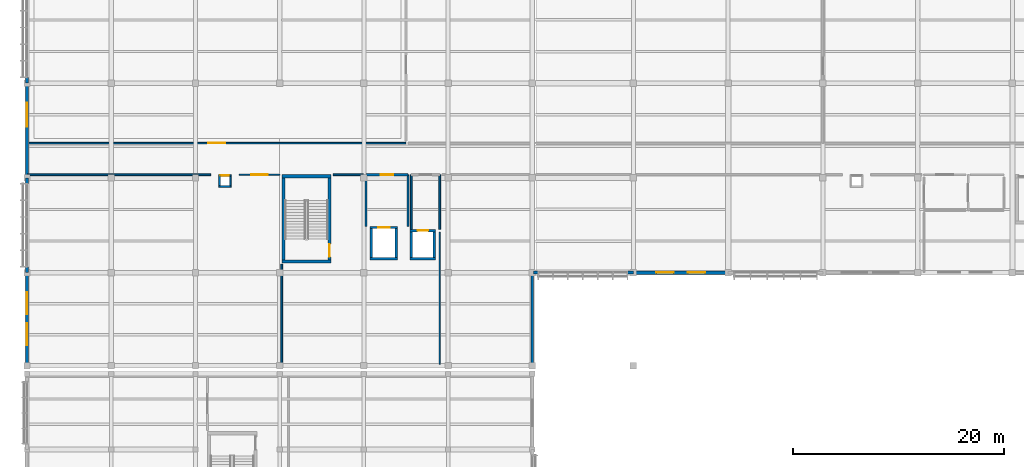
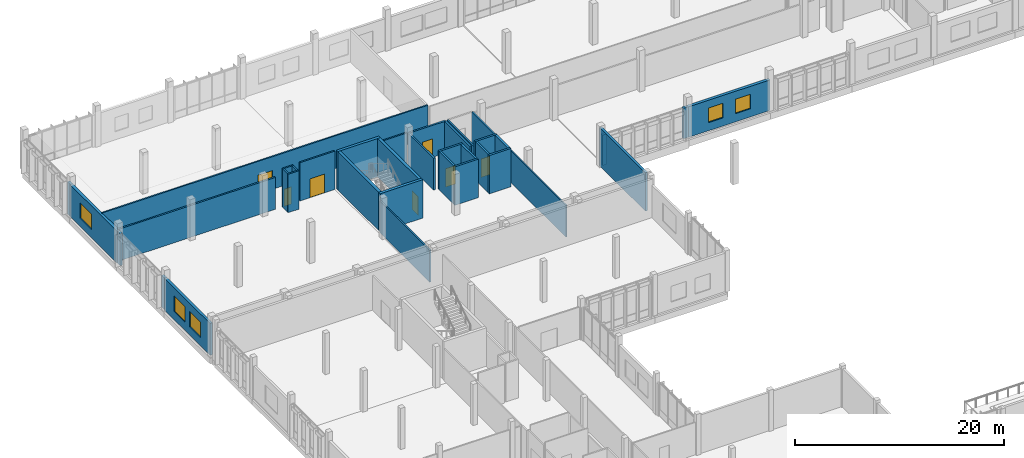
# One storey, part 153 of 177: 36 walls, 7 doors, 5 windows, 12 openings.
"""IFC4 building model written with IfcOpenShell, lengths in metres."""

from ifc_helpers import new_model, si_unit, direction, frame, frame_2d, origin, place, context, subcontext, project, spatial, rectangle, extrude, material, layer, layer_set, type_object, element, fill, save


model = new_model("IFC4")

# Units and contexts
model_context = context("Model", 3, precision=1e-05, world=origin(), true_north=direction((0.0, 1.0)))
body_context = subcontext(model_context, "Body", "Model", "MODEL_VIEW")
ifc_project = project(units=[si_unit("LENGTHUNIT", "METRE"), si_unit("AREAUNIT", "SQUARE_METRE"), si_unit("VOLUMEUNIT", "CUBIC_METRE"), si_unit("PLANEANGLEUNIT", "RADIAN"), si_unit("MASSUNIT", "GRAM", prefix="KILO")], contexts=[model_context])

# Site, building, storey
site_placement = place(None, origin())
site = spatial("IfcSite", under=ifc_project, at=site_placement, CompositionType="ELEMENT")
building_placement = place(site_placement, origin())
building = spatial("IfcBuilding", under=site, at=building_placement, Name="Chiffa Square Polytechnic", CompositionType="ELEMENT")
storey_placement = place(building_placement, frame((0.0, 0.0, 4.800048828125)))
storey = spatial("IfcBuildingStorey", under=building, at=storey_placement, Name="L01", CompositionType="ELEMENT", Elevation=4.800048828125)

# Walls
ifc_material_1 = material(Name="Concrete C40/50", Category="concrete")
ifc_layer_1 = layer(ifc_material_1, 0.300048828125, Name="Concrete C40/50")
ifc_layer_set_1 = layer_set([ifc_layer_1], Name="Concrete C40/50")
wall_type_1 = type_object("IfcWallType", Name="WL-CORE-300", PredefinedType="SHEAR", material=ifc_layer_set_1)
for number, where, z_axis, x_axis, name in (
    (1, (24.199951171875, 104.85009765625, 0.0), (0.0, 0.0, 1.0), (1.0, 0.0, 0.0), "Core or enclosure wall WC-CORE-V5A-L01-SOUTH"),
    (2, (24.199951171875, 112.949951171875, 0.0), (0.0, 0.0, 1.0), (1.0, 0.0, 0.0), "Core or enclosure wall WC-CORE-V5A-L01-NORTH"),
):
    element("IfcWall", number, at=place(storey_placement, frame(where, z_axis=z_axis, x_axis=x_axis)), inside=storey, type_object=wall_type_1, Name=name, PredefinedType="SHEAR", context=body_context, shape_type="SweptSolid", body=[
        extrude(rectangle(XDim=4.699951171875, YDim=0.300048828125, at=frame_2d((2.35009765625, 0.0))), origin(), (0.0, 0.0, 1.0), 4.47998046875),
    ])
wall_1_placement = place(storey_placement, frame((24.35009765625, 105.0, 0.0), z_axis=(0.0, 0.0, 1.0), x_axis=(0.0, 1.0, 0.0)))
element("IfcWall", 3, at=wall_1_placement, inside=storey, type_object=wall_type_1, Name="Core or enclosure wall WC-CORE-V5A-L01-WEST", PredefinedType="SHEAR", context=body_context, shape_type="SweptSolid", body=[
    extrude(rectangle(XDim=7.800048828125, YDim=0.300048828125, at=frame_2d((3.89990234375, 0.0))), origin(), (0.0, 0.0, 1.0), 4.47998046875),
])

# Wall, opening, door
wall_2_placement = place(storey_placement, frame((28.75, 105.0, 0.0), z_axis=(0.0, 0.0, 1.0), x_axis=(0.0, 1.0, 0.0)))
wall_2 = element("IfcWall", 4, at=wall_2_placement, inside=storey, type_object=wall_type_1, Name="Core or enclosure wall WC-CORE-V5A-L01-EAST", PredefinedType="SHEAR", context=body_context, shape_type="SweptSolid", body=[
    extrude(rectangle(XDim=7.800048828125, YDim=0.300048828125, at=frame_2d((3.89990234375, 0.0))), origin(), (0.0, 0.0, 1.0), 4.47998046875),
])
opening_1_placement = place(wall_2_placement, frame((0.300048828125, 0.0, 0.0)))
opening_1 = element("IfcOpeningElement", 5, at=opening_1_placement, cuts=wall_2, Name="Opening DS-L01-033", PredefinedType="OPENING", context=body_context, shape_type="SweptSolid", body=[
    extrude(rectangle(XDim=1.199951171875, YDim=2.14990234375, at=frame_2d((0.60009765625, 1.074951171875))), frame((0.0, 0.16015625, 0.0), z_axis=(0.0, -1.0, 0.0), x_axis=(1.0, 0.0, 0.0)), (0.0, 0.0, 1.0), 0.320068359375),
])
ifc_material_2 = material(Name="Fire-rated painted steel leaf", Category="steel")
door_type_1 = type_object("IfcDoorType", Name="DR-STAIR-1200", OperationType="NOTDEFINED", PredefinedType="DOOR", material=ifc_material_2)
door_1_placement = place(opening_1_placement, origin())
door_1 = element("IfcDoor", 6, at=door_1_placement, inside=storey, type_object=door_type_1, Name="Enclosure door DS-L01-033", OperationType="SINGLE_SWING_LEFT", OverallHeight=2.14990234375, OverallWidth=1.199951171875, PredefinedType="DOOR", context=body_context, shape_type="SweptSolid", body=[
    extrude(rectangle(XDim=1.199951171875, YDim=2.14990234375, at=frame_2d((0.60009765625, 1.074951171875))), frame((0.0, 0.02490234375, 0.0), z_axis=(0.0, -1.0, 0.0), x_axis=(1.0, 0.0, 0.0)), (0.0, 0.0, 1.0), 0.050048828125),
])
fill(opening_1, door_1)

# Walls
ifc_material_3 = material(Name="Precast concrete C40/50", Category="concrete")
ifc_layer_2 = layer(ifc_material_3, 0.260009765625, Name="Precast concrete C40/50")
ifc_layer_set_2 = layer_set([ifc_layer_2], Name="Precast concrete C40/50")
wall_type_2 = type_object("IfcWallType", Name="WL-EXT-PC260", PredefinedType="SOLIDWALL", material=ifc_layer_set_2)
for number, where, z_axis, x_axis, name in (
    (7, (0.0, 112.800048828125, 0.0), (0.0, 0.0, 1.0), (0.0, -1.0, 0.0), "Facade column pier V5-L01-0291L"),
    (8, (0.0, 104.340087890625, 0.0), (0.0, 0.0, 1.0), (0.0, -1.0, 0.0), "Facade column pier V5-L01-0291R"),
):
    element("IfcWall", number, at=place(storey_placement, frame(where, z_axis=z_axis, x_axis=x_axis)), inside=storey, type_object=wall_type_2, Name=name, PredefinedType="SOLIDWALL", context=body_context, shape_type="SweptSolid", body=[
        extrude(rectangle(XDim=0.5400390625, YDim=0.260009765625, at=frame_2d((0.27001953125, 0.0))), origin(), (0.0, 0.0, 1.0), 3.71484375),
    ])
ifc_layer_3 = layer(ifc_material_3, 0.280029296875, Name="Precast concrete C40/50")
ifc_layer_set_3 = layer_set([ifc_layer_3], Name="Precast concrete C40/50")
wall_type_3 = type_object("IfcWallType", Name="WL-EXT-PC280", PredefinedType="SOLIDWALL", material=ifc_layer_set_3)
wall_3_placement = place(storey_placement, frame((48.126953125, 103.800048828125, 0.0), z_axis=(0.0, 0.0, 1.0), x_axis=(1.0, 0.0, 0.0)))
element("IfcWall", 9, at=wall_3_placement, inside=storey, type_object=wall_type_3, Name="Facade column pier V5-L01-0259L", PredefinedType="SOLIDWALL", context=body_context, shape_type="SweptSolid", body=[
    extrude(rectangle(XDim=0.4130859375, YDim=0.280029296875, at=frame_2d((0.20654296875, 0.0))), origin(), (0.0, 0.0, 1.0), 3.56494140625),
])
wall_4_placement = place(storey_placement, frame((57.06005859375, 103.800048828125, 0.0), z_axis=(0.0, 0.0, 1.0), x_axis=(1.0, 0.0, 0.0)))
element("IfcWall", 10, at=wall_4_placement, inside=storey, type_object=wall_type_3, Name="Facade column pier V5-L01-0259R", PredefinedType="SOLIDWALL", context=body_context, shape_type="SweptSolid", body=[
    extrude(rectangle(XDim=0.5400390625, YDim=0.280029296875, at=frame_2d((0.27001953125, 0.0))), origin(), (0.0, 0.0, 1.0), 3.56494140625),
])
wall_5_placement = place(storey_placement, frame((0.0, 122.340087890625, 0.0), z_axis=(0.0, 0.0, 1.0), x_axis=(0.0, -1.0, 0.0)))
element("IfcWall", 11, at=wall_5_placement, inside=storey, type_object=wall_type_3, Name="Facade column pier V5-L01-0289R", PredefinedType="SOLIDWALL", context=body_context, shape_type="SweptSolid", body=[
    extrude(rectangle(XDim=0.5400390625, YDim=0.280029296875, at=frame_2d((0.27001953125, 0.0))), origin(), (0.0, 0.0, 1.0), 3.71484375),
])

# Wall, openings, windows
wall_6_placement = place(storey_placement, frame((0.0, 103.800048828125, 0.0), z_axis=(0.0, 0.0, 1.0), x_axis=(0.0, -1.0, 0.0)))
wall_6 = element("IfcWall", 12, at=wall_6_placement, inside=storey, type_object=wall_type_3, Name="Exterior wall WE-V5-L01-0292", PredefinedType="SOLIDWALL", context=body_context, shape_type="SweptSolid", body=[
    extrude(rectangle(XDim=8.75, YDim=0.280029296875, at=frame_2d((4.375, 0.0))), origin(), (0.0, 0.0, 1.0), 3.71484375),
])
opening_2_placement = place(wall_6_placement, frame((1.866943359375, 0.0, 0.949951171875)))
opening_2 = element("IfcOpeningElement", 13, at=opening_2_placement, cuts=wall_6, Name="Opening W-03", PredefinedType="OPENING", context=body_context, shape_type="SweptSolid", body=[
    extrude(rectangle(XDim=2.10009765625, YDim=1.800048828125, at=frame_2d((1.050048828125, 0.89990234375))), frame((0.0, 0.14990234375, 0.0), z_axis=(0.0, -1.0, 0.0), x_axis=(1.0, 0.0, 0.0)), (0.0, 0.0, 1.0), 0.300048828125),
])
opening_3_placement = place(wall_6_placement, frame((4.782958984375, 0.0, 0.949951171875)))
opening_3 = element("IfcOpeningElement", 14, at=opening_3_placement, cuts=wall_6, Name="Opening W-03", PredefinedType="OPENING", context=body_context, shape_type="SweptSolid", body=[
    extrude(rectangle(XDim=2.10009765625, YDim=1.800048828125, at=frame_2d((1.050048828125, 0.89990234375))), frame((0.0, 0.14990234375, 0.0), z_axis=(0.0, -1.0, 0.0), x_axis=(1.0, 0.0, 0.0)), (0.0, 0.0, 1.0), 0.300048828125),
])
ifc_material_4 = material(Name="Double glazing in thermally broken aluminium frame", Category="aluminium")
window_type_1 = type_object("IfcWindowType", Name="WIN-LAB-2100X1800", PartitioningType="DOUBLE_PANEL_VERTICAL", PredefinedType="WINDOW", material=ifc_material_4)
window_1_placement = place(opening_2_placement, origin())
window_1 = element("IfcWindow", 15, at=window_1_placement, inside=storey, type_object=window_type_1, Name="Facade window WN-L01-0184", OverallHeight=1.800048828125, OverallWidth=2.10009765625, PartitioningType="DOUBLE_PANEL_VERTICAL", PredefinedType="WINDOW", context=body_context, shape_type="SweptSolid", body=[
    extrude(rectangle(XDim=2.10009765625, YDim=1.800048828125, at=frame_2d((1.050048828125, 0.89990234375))), frame((0.0, 0.030029296875, 0.0), z_axis=(0.0, -1.0, 0.0), x_axis=(1.0, 0.0, 0.0)), (0.0, 0.0, 1.0), 0.06005859375),
])
fill(opening_2, window_1)
window_2_placement = place(opening_3_placement, origin())
window_2 = element("IfcWindow", 16, at=window_2_placement, inside=storey, type_object=window_type_1, Name="Facade window WN-L01-0185", OverallHeight=1.800048828125, OverallWidth=2.10009765625, PartitioningType="DOUBLE_PANEL_VERTICAL", PredefinedType="WINDOW", context=body_context, shape_type="SweptSolid", body=[
    extrude(rectangle(XDim=2.10009765625, YDim=1.800048828125, at=frame_2d((1.050048828125, 0.89990234375))), frame((0.0, 0.030029296875, 0.0), z_axis=(0.0, -1.0, 0.0), x_axis=(1.0, 0.0, 0.0)), (0.0, 0.0, 1.0), 0.06005859375),
])
fill(opening_3, window_2)

ifc_layer_4 = layer(ifc_material_3, 0.320068359375, Name="Precast concrete C40/50")
ifc_layer_set_4 = layer_set([ifc_layer_4], Name="Precast concrete C40/50")
wall_type_4 = type_object("IfcWallType", Name="WL-EXT-PC320", PredefinedType="SOLIDWALL", material=ifc_layer_set_4)
wall_7_placement = place(storey_placement, frame((57.60009765625, 103.800048828125, 0.0), z_axis=(0.0, 0.0, 1.0), x_axis=(1.0, 0.0, 0.0)))
wall_7 = element("IfcWall", 17, at=wall_7_placement, inside=storey, type_object=wall_type_4, Name="Exterior wall WE-V5-L01-0260", PredefinedType="SOLIDWALL", context=body_context, shape_type="SweptSolid", body=[
    extrude(rectangle(XDim=9.0, YDim=0.320068359375, at=frame_2d((4.5, 0.0))), origin(), (0.0, 0.0, 1.0), 3.56494140625),
])
opening_4_placement = place(wall_7_placement, frame((2.175048828125, 0.0, 0.949951171875)))
opening_4 = element("IfcOpeningElement", 18, at=opening_4_placement, cuts=wall_7, Name="Opening W-06", PredefinedType="OPENING", context=body_context, shape_type="SweptSolid", body=[
    extrude(rectangle(XDim=1.64990234375, YDim=1.699951171875, at=frame_2d((0.824951171875, 0.85009765625))), frame((0.0, 0.169921875, 0.0), z_axis=(0.0, -1.0, 0.0), x_axis=(1.0, 0.0, 0.0)), (0.0, 0.0, 1.0), 0.340087890625),
])
opening_5_placement = place(wall_7_placement, frame((5.175048828125, 0.0, 0.949951171875)))
opening_5 = element("IfcOpeningElement", 19, at=opening_5_placement, cuts=wall_7, Name="Opening W-06", PredefinedType="OPENING", context=body_context, shape_type="SweptSolid", body=[
    extrude(rectangle(XDim=1.64990234375, YDim=1.699951171875, at=frame_2d((0.824951171875, 0.85009765625))), frame((0.0, 0.169921875, 0.0), z_axis=(0.0, -1.0, 0.0), x_axis=(1.0, 0.0, 0.0)), (0.0, 0.0, 1.0), 0.340087890625),
])
window_type_2 = type_object("IfcWindowType", Name="WIN-LAB-1650X1700", PartitioningType="DOUBLE_PANEL_VERTICAL", PredefinedType="WINDOW", material=ifc_material_4)
window_3_placement = place(opening_4_placement, origin())
window_3 = element("IfcWindow", 20, at=window_3_placement, inside=storey, type_object=window_type_2, Name="Facade window WN-L01-0152", OverallHeight=1.699951171875, OverallWidth=1.64990234375, PartitioningType="DOUBLE_PANEL_VERTICAL", PredefinedType="WINDOW", context=body_context, shape_type="SweptSolid", body=[
    extrude(rectangle(XDim=1.64990234375, YDim=1.699951171875, at=frame_2d((0.824951171875, 0.85009765625))), frame((0.0, 0.030029296875, 0.0), z_axis=(0.0, -1.0, 0.0), x_axis=(1.0, 0.0, 0.0)), (0.0, 0.0, 1.0), 0.06005859375),
])
fill(opening_4, window_3)
window_4_placement = place(opening_5_placement, origin())
window_4 = element("IfcWindow", 21, at=window_4_placement, inside=storey, type_object=window_type_2, Name="Facade window WN-L01-0153", OverallHeight=1.699951171875, OverallWidth=1.64990234375, PartitioningType="DOUBLE_PANEL_VERTICAL", PredefinedType="WINDOW", context=body_context, shape_type="SweptSolid", body=[
    extrude(rectangle(XDim=1.64990234375, YDim=1.699951171875, at=frame_2d((0.824951171875, 0.85009765625))), frame((0.0, 0.030029296875, 0.0), z_axis=(0.0, -1.0, 0.0), x_axis=(1.0, 0.0, 0.0)), (0.0, 0.0, 1.0), 0.06005859375),
])
fill(opening_5, window_4)

# Wall, opening, window
wall_8_placement = place(storey_placement, frame((0.0, 121.800048828125, 0.0), z_axis=(0.0, 0.0, 1.0), x_axis=(0.0, -1.0, 0.0)))
wall_8 = element("IfcWall", 22, at=wall_8_placement, inside=storey, type_object=wall_type_4, Name="Exterior wall WE-V5-L01-0290", PredefinedType="SOLIDWALL", context=body_context, shape_type="SweptSolid", body=[
    extrude(rectangle(XDim=9.0, YDim=0.320068359375, at=frame_2d((4.5, 0.0))), origin(), (0.0, 0.0, 1.0), 3.71484375),
])
opening_6_placement = place(wall_8_placement, frame((1.875, 0.0, 0.949951171875)))
opening_6 = element("IfcOpeningElement", 23, at=opening_6_placement, cuts=wall_8, Name="Opening W-02", PredefinedType="OPENING", context=body_context, shape_type="SweptSolid", body=[
    extrude(rectangle(XDim=2.25, YDim=1.800048828125, at=frame_2d((1.125, 0.89990234375))), frame((0.0, 0.169921875, 0.0), z_axis=(0.0, -1.0, 0.0), x_axis=(1.0, 0.0, 0.0)), (0.0, 0.0, 1.0), 0.340087890625),
])
window_type_3 = type_object("IfcWindowType", Name="WIN-LAB-2250X1800", PartitioningType="DOUBLE_PANEL_VERTICAL", PredefinedType="WINDOW", material=ifc_material_4)
window_5_placement = place(opening_6_placement, origin())
window_5 = element("IfcWindow", 24, at=window_5_placement, inside=storey, type_object=window_type_3, Name="Facade window WN-L01-0183", OverallHeight=1.800048828125, OverallWidth=2.25, PartitioningType="DOUBLE_PANEL_VERTICAL", PredefinedType="WINDOW", context=body_context, shape_type="SweptSolid", body=[
    extrude(rectangle(XDim=2.25, YDim=1.800048828125, at=frame_2d((1.125, 0.89990234375))), frame((0.0, 0.030029296875, 0.0), z_axis=(0.0, -1.0, 0.0), x_axis=(1.0, 0.0, 0.0)), (0.0, 0.0, 1.0), 0.06005859375),
])
fill(opening_6, window_5)

# Wall
ifc_material_5 = material(Name="Gypsum board on steel stud", Category="steel")
ifc_layer_5 = layer(ifc_material_5, 0.125, Name="Gypsum board on steel stud")
ifc_layer_set_5 = layer_set([ifc_layer_5], Name="Gypsum board on steel stud")
wall_type_5 = type_object("IfcWallType", Name="WL-PART-125", PredefinedType="PARTITIONING", material=ifc_layer_set_5)
wall_9_placement = place(storey_placement, frame((39.199951171875, 95.10498046875, 0.0), z_axis=(0.0, 0.0, 1.0), x_axis=(0.0, 1.0, 0.0)))
element("IfcWall", 25, at=wall_9_placement, inside=storey, type_object=wall_type_5, Name="Interior partition WP-V5-L01-0350", PredefinedType="PARTITIONING", context=body_context, shape_type="SweptSolid", body=[
    extrude(rectangle(XDim=12.554931640625, YDim=0.125, at=frame_2d((6.27734375, 0.0))), origin(), (0.0, 0.0, 1.0), 3.71484375),
])

# Wall, opening, door
ifc_material_6 = material(Name="Autoclaved aerated concrete blockwork", Category="masonry")
ifc_layer_6 = layer(ifc_material_6, 0.199951171875, Name="Autoclaved aerated concrete blockwork")
ifc_layer_set_6 = layer_set([ifc_layer_6], Name="Autoclaved aerated concrete blockwork")
wall_type_6 = type_object("IfcWallType", Name="WL-PART-EI120-200", PredefinedType="PARTITIONING", material=ifc_layer_set_6)
wall_10_placement = place(storey_placement, frame((32.199951171875, 113.10009765625, 0.0), z_axis=(0.0, 0.0, 1.0), x_axis=(1.0, 0.0, 0.0)))
wall_10 = element("IfcWall", 26, at=wall_10_placement, inside=storey, type_object=wall_type_6, Name="Lift lobby rated enclosure WP-LOB-LF-V5-L01-NORTH", PredefinedType="PARTITIONING", context=body_context, shape_type="SweptSolid", body=[
    extrude(rectangle(XDim=4.0, YDim=0.199951171875, at=frame_2d((2.0, 0.0))), origin(), (0.0, 0.0, 1.0), 3.71484375),
])
opening_7_placement = place(wall_10_placement, frame((1.425048828125, 0.0, 0.0)))
opening_7 = element("IfcOpeningElement", 27, at=opening_7_placement, cuts=wall_10, Name="Opening DI-L01-034", PredefinedType="OPENING", context=body_context, shape_type="SweptSolid", body=[
    extrude(rectangle(XDim=1.14990234375, YDim=2.14990234375, at=frame_2d((0.574951171875, 1.074951171875))), frame((0.0, 0.10986328125, 0.0), z_axis=(0.0, -1.0, 0.0), x_axis=(1.0, 0.0, 0.0)), (0.0, 0.0, 1.0), 0.219970703125),
])
ifc_material_7 = material(Name="Fire-rated steel door leaf", Category="steel")
door_type_2 = type_object("IfcDoorType", Name="DR-LOBBY-FD120", OperationType="NOTDEFINED", PredefinedType="DOOR", material=ifc_material_7)
door_2_placement = place(opening_7_placement, origin())
door_2 = element("IfcDoor", 28, at=door_2_placement, inside=storey, type_object=door_type_2, Name="Lift lobby fire door DI-L01-034", OperationType="SINGLE_SWING_LEFT", OverallHeight=2.14990234375, OverallWidth=1.14990234375, PredefinedType="DOOR", context=body_context, shape_type="SweptSolid", body=[
    extrude(rectangle(XDim=1.14990234375, YDim=2.14990234375, at=frame_2d((0.574951171875, 1.074951171875))), frame((0.0, 0.02490234375, 0.0), z_axis=(0.0, -1.0, 0.0), x_axis=(1.0, 0.0, 0.0)), (0.0, 0.0, 1.0), 0.050048828125),
])
fill(opening_7, door_2)

# Walls
for number, where, z_axis, x_axis, name in (
    (29, (32.199951171875, 108.199951171875, 0.0), (0.0, 0.0, 1.0), (0.0, 1.0, 0.0), "Lift lobby rated enclosure WP-LOB-LF-V5-L01-WEST"),
    (30, (36.199951171875, 108.199951171875, 0.0), (0.0, 0.0, 1.0), (0.0, 1.0, 0.0), "Lift lobby rated enclosure WP-LOB-LF-V5-L01-EAST"),
):
    element("IfcWall", number, at=place(storey_placement, frame(where, z_axis=z_axis, x_axis=x_axis)), inside=storey, type_object=wall_type_6, Name=name, PredefinedType="PARTITIONING", context=body_context, shape_type="SweptSolid", body=[
        extrude(rectangle(XDim=4.900146484375, YDim=0.199951171875, at=frame_2d((2.4501953125, 0.0))), origin(), (0.0, 0.0, 1.0), 3.71484375),
    ])
ifc_material_8 = material(Name="Gypsum board on acoustic steel stud", Category="steel")
ifc_layer_7 = layer(ifc_material_8, 0.159912109375, Name="Gypsum board on acoustic steel stud")
ifc_layer_set_7 = layer_set([ifc_layer_7], Name="Gypsum board on acoustic steel stud")
wall_type_7 = type_object("IfcWallType", Name="WL-PART-EI60-160", PredefinedType="PARTITIONING", material=ifc_layer_set_7)
wall_11_placement = place(storey_placement, frame((18.199951171875, 111.97998046875, 0.0), z_axis=(0.0, 0.0, 1.0), x_axis=(1.0, 0.0, 0.0)))
element("IfcWall", 31, at=wall_11_placement, inside=storey, type_object=wall_type_7, Name="Core or enclosure wall WP-RSR-V5-W-L01-SOUTH", PredefinedType="PARTITIONING", context=body_context, shape_type="SweptSolid", body=[
    extrude(rectangle(XDim=1.199951171875, YDim=0.159912109375, at=frame_2d((0.60009765625, 0.0))), origin(), (0.0, 0.0, 1.0), 4.47998046875),
])

# Wall, opening, door
wall_12_placement = place(storey_placement, frame((18.199951171875, 113.02001953125, 0.0), z_axis=(0.0, 0.0, 1.0), x_axis=(1.0, 0.0, 0.0)))
wall_12 = element("IfcWall", 32, at=wall_12_placement, inside=storey, type_object=wall_type_7, Name="Core or enclosure wall WP-RSR-V5-W-L01-NORTH", PredefinedType="PARTITIONING", context=body_context, shape_type="SweptSolid", body=[
    extrude(rectangle(XDim=1.199951171875, YDim=0.159912109375, at=frame_2d((0.60009765625, 0.0))), origin(), (0.0, 0.0, 1.0), 4.47998046875),
])
opening_8_placement = place(wall_12_placement, frame((0.175048828125, 0.0, 0.0)))
opening_8 = element("IfcOpeningElement", 33, at=opening_8_placement, cuts=wall_12, Name="Opening DI-L01-R03", PredefinedType="OPENING", context=body_context, shape_type="SweptSolid", body=[
    extrude(rectangle(XDim=0.85009765625, YDim=2.02001953125, at=frame_2d((0.425048828125, 1.010009765625))), frame((0.0, 0.08984375, 0.0), z_axis=(0.0, -1.0, 0.0), x_axis=(1.0, 0.0, 0.0)), (0.0, 0.0, 1.0), 0.179931640625),
])
ifc_material_9 = material(Name="Fire-rated steel riser access door", Category="steel")
door_type_3 = type_object("IfcDoorType", Name="DR-RISER-850", OperationType="NOTDEFINED", PredefinedType="DOOR", material=ifc_material_9)
door_3_placement = place(opening_8_placement, origin())
door_3 = element("IfcDoor", 34, at=door_3_placement, inside=storey, type_object=door_type_3, Name="Enclosure door DI-L01-R03", OperationType="SINGLE_SWING_LEFT", OverallHeight=2.02001953125, OverallWidth=0.85009765625, PredefinedType="DOOR", context=body_context, shape_type="SweptSolid", body=[
    extrude(rectangle(XDim=0.85009765625, YDim=2.02001953125, at=frame_2d((0.425048828125, 1.010009765625))), frame((0.0, 0.02490234375, 0.0), z_axis=(0.0, -1.0, 0.0), x_axis=(1.0, 0.0, 0.0)), (0.0, 0.0, 1.0), 0.050048828125),
])
fill(opening_8, door_3)

# Walls
for number, where, z_axis, x_axis, name in (
    (35, (18.280029296875, 112.06005859375, 0.0), (0.0, 0.0, 1.0), (0.0, 1.0, 0.0), "Core or enclosure wall WP-RSR-V5-W-L01-WEST"),
    (36, (19.320068359375, 112.06005859375, 0.0), (0.0, 0.0, 1.0), (0.0, 1.0, 0.0), "Core or enclosure wall WP-RSR-V5-W-L01-EAST"),
):
    element("IfcWall", number, at=place(storey_placement, frame(where, z_axis=z_axis, x_axis=x_axis)), inside=storey, type_object=wall_type_7, Name=name, PredefinedType="PARTITIONING", context=body_context, shape_type="SweptSolid", body=[
        extrude(rectangle(XDim=0.8798828125, YDim=0.159912109375, at=frame_2d((0.43994140625, 0.0))), origin(), (0.0, 0.0, 1.0), 4.47998046875),
    ])
for number, where, z_axis, x_axis, name in (
    (37, (36.5, 107.89990234375, 0.0), (0.0, 0.0, 1.0), (0.0, 1.0, 0.0), "Lift lobby rated enclosure WP-LOB-LP-V5A-L01-WEST"),
    (38, (39.199951171875, 107.89990234375, 0.0), (0.0, 0.0, 1.0), (0.0, 1.0, 0.0), "Lift lobby rated enclosure WP-LOB-LP-V5A-L01-EAST"),
):
    element("IfcWall", number, at=place(storey_placement, frame(where, z_axis=z_axis, x_axis=x_axis)), inside=storey, type_object=wall_type_7, Name=name, PredefinedType="PARTITIONING", context=body_context, shape_type="SweptSolid", body=[
        extrude(rectangle(XDim=5.2001953125, YDim=0.159912109375, at=frame_2d((2.60009765625, 0.0))), origin(), (0.0, 0.0, 1.0), 3.71484375),
    ])

# Wall, opening, door
wall_13_placement = place(storey_placement, frame((20.14599609375, 113.10009765625, 0.0), z_axis=(0.0, 0.0, 1.0), x_axis=(1.0, 0.0, 0.0)))
wall_13 = element("IfcWall", 39, at=wall_13_placement, inside=storey, type_object=wall_type_7, Name="Interior partition WP-V5-L01-0333", PredefinedType="PARTITIONING", context=body_context, shape_type="SweptSolid", body=[
    extrude(rectangle(XDim=3.866943359375, YDim=0.159912109375, at=frame_2d((1.93359375, 0.0))), origin(), (0.0, 0.0, 1.0), 4.47998046875),
])
opening_9_placement = place(wall_13_placement, frame((1.134033203125, 0.0, 0.0)))
opening_9 = element("IfcOpeningElement", 40, at=opening_9_placement, cuts=wall_13, Name="Opening DI-L01-148", PredefinedType="OPENING", context=body_context, shape_type="SweptSolid", body=[
    extrude(rectangle(XDim=1.60009765625, YDim=2.199951171875, at=frame_2d((0.800048828125, 1.10009765625))), frame((0.0, 0.08984375, 0.0), z_axis=(0.0, -1.0, 0.0), x_axis=(1.0, 0.0, 0.0)), (0.0, 0.0, 1.0), 0.179931640625),
])
ifc_material_10 = material(Name="Vision-panel timber laboratory door", Category="wood")
door_type_4 = type_object("IfcDoorType", Name="DR-LAB-DBL-1600", OperationType="DOUBLE_DOOR_SINGLE_SWING", PredefinedType="DOOR", material=ifc_material_10)
door_4_placement = place(opening_9_placement, origin())
door_4 = element("IfcDoor", 41, at=door_4_placement, inside=storey, type_object=door_type_4, Name="Interior room door DI-L01-148", OperationType="DOUBLE_DOOR_SINGLE_SWING", OverallHeight=2.199951171875, OverallWidth=1.60009765625, PredefinedType="DOOR", context=body_context, shape_type="SweptSolid", body=[
    extrude(rectangle(XDim=1.60009765625, YDim=2.199951171875, at=frame_2d((0.800048828125, 1.10009765625))), frame((0.0, 0.02490234375, 0.0), z_axis=(0.0, -1.0, 0.0), x_axis=(1.0, 0.0, 0.0)), (0.0, 0.0, 1.0), 0.050048828125),
])
fill(opening_9, door_4)

# Wall
wall_14_placement = place(storey_placement, frame((24.199951171875, 95.10498046875, 0.0), z_axis=(0.0, 0.0, 1.0), x_axis=(0.0, 1.0, 0.0)))
element("IfcWall", 42, at=wall_14_placement, inside=storey, type_object=wall_type_7, Name="Interior partition WP-V5-L01-0335", PredefinedType="PARTITIONING", context=body_context, shape_type="SweptSolid", body=[
    extrude(rectangle(XDim=9.505126953125, YDim=0.159912109375, at=frame_2d((4.75244140625, 0.0))), origin(), (0.0, 0.0, 1.0), 3.71484375),
])

# Wall, opening, door
wall_15_placement = place(storey_placement, frame((0.054931640625, 116.10009765625, 0.0), z_axis=(0.0, 0.0, 1.0), x_axis=(1.0, 0.0, 0.0)))
wall_15 = element("IfcWall", 43, at=wall_15_placement, inside=storey, type_object=wall_type_7, Name="Interior partition WP-V5-L01-0353", PredefinedType="PARTITIONING", context=body_context, shape_type="SweptSolid", body=[
    extrude(rectangle(XDim=35.945068359375, YDim=0.159912109375, at=frame_2d((17.97265625, 0.0))), origin(), (0.0, 0.0, 1.0), 3.81494140625),
])
opening_10_placement = place(wall_15_placement, frame((17.172119140625, 0.0, 0.0)))
opening_10 = element("IfcOpeningElement", 44, at=opening_10_placement, cuts=wall_15, Name="Opening DI-L01-151", PredefinedType="OPENING", context=body_context, shape_type="SweptSolid", body=[
    extrude(rectangle(XDim=1.60009765625, YDim=2.199951171875, at=frame_2d((0.800048828125, 1.10009765625))), frame((0.0, 0.08984375, 0.0), z_axis=(0.0, -1.0, 0.0), x_axis=(1.0, 0.0, 0.0)), (0.0, 0.0, 1.0), 0.179931640625),
])
door_5_placement = place(opening_10_placement, origin())
door_5 = element("IfcDoor", 45, at=door_5_placement, inside=storey, type_object=door_type_4, Name="Interior room door DI-L01-151", OperationType="DOUBLE_DOOR_SINGLE_SWING", OverallHeight=2.199951171875, OverallWidth=1.60009765625, PredefinedType="DOOR", context=body_context, shape_type="SweptSolid", body=[
    extrude(rectangle(XDim=1.60009765625, YDim=2.199951171875, at=frame_2d((0.800048828125, 1.10009765625))), frame((0.0, 0.02490234375, 0.0), z_axis=(0.0, -1.0, 0.0), x_axis=(1.0, 0.0, 0.0)), (0.0, 0.0, 1.0), 0.050048828125),
])
fill(opening_10, door_5)

# Walls
wall_16_placement = place(storey_placement, frame((29.0869140625, 113.10009765625, 0.0), z_axis=(0.0, 0.0, 1.0), x_axis=(1.0, 0.0, 0.0)))
element("IfcWall", 46, at=wall_16_placement, inside=storey, type_object=wall_type_7, Name="Interior partition WP-V5-L01-0375", PredefinedType="PARTITIONING", context=body_context, shape_type="SweptSolid", body=[
    extrude(rectangle(XDim=2.873046875, YDim=0.159912109375, at=frame_2d((1.4365234375, 0.0))), origin(), (0.0, 0.0, 1.0), 3.81494140625),
])
ifc_material_11 = material(Name="Gypsum board on twin steel stud", Category="steel")
ifc_layer_8 = layer(ifc_material_11, 0.18505859375, Name="Gypsum board on twin steel stud")
ifc_layer_set_8 = layer_set([ifc_layer_8], Name="Gypsum board on twin steel stud")
wall_type_8 = type_object("IfcWallType", Name="WL-PART-EI90-185", PredefinedType="PARTITIONING", material=ifc_layer_set_8)
wall_17_placement = place(storey_placement, frame((0.054931640625, 113.10009765625, 0.0), z_axis=(0.0, 0.0, 1.0), x_axis=(1.0, 0.0, 0.0)))
element("IfcWall", 47, at=wall_17_placement, inside=storey, type_object=wall_type_8, Name="Interior partition WP-V5-L01-0334", PredefinedType="PARTITIONING", context=body_context, shape_type="SweptSolid", body=[
    extrude(rectangle(XDim=17.399169921875, YDim=0.18505859375, at=frame_2d((8.69970703125, 0.0))), origin(), (0.0, 0.0, 1.0), 3.71484375),
])
ifc_material_12 = material(Name="Concrete C35/45", Category="concrete")
ifc_layer_9 = layer(ifc_material_12, 0.219970703125, Name="Concrete C35/45")
ifc_layer_set_9 = layer_set([ifc_layer_9], Name="Concrete C35/45")
wall_type_9 = type_object("IfcWallType", Name="WL-SHAFT-220", PredefinedType="SHEAR", material=ifc_layer_set_9)
wall_18_placement = place(storey_placement, frame((32.60009765625, 105.110107421875, 0.0), z_axis=(0.0, 0.0, 1.0), x_axis=(1.0, 0.0, 0.0)))
element("IfcWall", 48, at=wall_18_placement, inside=storey, type_object=wall_type_9, Name="Core or enclosure wall WS-LF-V5-L01-SOUTH", PredefinedType="SHEAR", context=body_context, shape_type="SweptSolid", body=[
    extrude(rectangle(XDim=2.599853515625, YDim=0.219970703125, at=frame_2d((1.2998046875, 0.0))), origin(), (0.0, 0.0, 1.0), 4.47998046875),
])

# Wall, opening, door
wall_19_placement = place(storey_placement, frame((32.60009765625, 108.090087890625, 0.0), z_axis=(0.0, 0.0, 1.0), x_axis=(1.0, 0.0, 0.0)))
wall_19 = element("IfcWall", 49, at=wall_19_placement, inside=storey, type_object=wall_type_9, Name="Core or enclosure wall WS-LF-V5-L01-NORTH", PredefinedType="SHEAR", context=body_context, shape_type="SweptSolid", body=[
    extrude(rectangle(XDim=2.599853515625, YDim=0.219970703125, at=frame_2d((1.2998046875, 0.0))), origin(), (0.0, 0.0, 1.0), 4.47998046875),
])
opening_11_placement = place(wall_19_placement, frame((0.75, 0.0, 0.0)))
opening_11 = element("IfcOpeningElement", 50, at=opening_11_placement, cuts=wall_19, Name="Opening LD-LF-V5-L01", PredefinedType="OPENING", context=body_context, shape_type="SweptSolid", body=[
    extrude(rectangle(XDim=1.10009765625, YDim=2.14990234375, at=frame_2d((0.550048828125, 1.074951171875))), frame((0.0, 0.1201171875, 0.0), z_axis=(0.0, -1.0, 0.0), x_axis=(1.0, 0.0, 0.0)), (0.0, 0.0, 1.0), 0.239990234375),
])
ifc_material_13 = material(Name="Brushed stainless steel sliding landing door", Category="steel")
door_type_5 = type_object("IfcDoorType", Name="DR-LIFT-1100", OperationType="SLIDING_TO_LEFT", PredefinedType="DOOR", material=ifc_material_13)
door_6_placement = place(opening_11_placement, origin())
door_6 = element("IfcDoor", 51, at=door_6_placement, inside=storey, type_object=door_type_5, Name="Enclosure door LD-LF-V5-L01", OperationType="SLIDING_TO_LEFT", OverallHeight=2.14990234375, OverallWidth=1.10009765625, PredefinedType="DOOR", context=body_context, shape_type="SweptSolid", body=[
    extrude(rectangle(XDim=1.10009765625, YDim=2.14990234375, at=frame_2d((0.550048828125, 1.074951171875))), frame((0.0, 0.02490234375, 0.0), z_axis=(0.0, -1.0, 0.0), x_axis=(1.0, 0.0, 0.0)), (0.0, 0.0, 1.0), 0.050048828125),
])
fill(opening_11, door_6)

# Walls
for number, where, z_axis, x_axis, name in (
    (52, (32.7099609375, 105.219970703125, 0.0), (0.0, 0.0, 1.0), (0.0, 1.0, 0.0), "Core or enclosure wall WS-LF-V5-L01-WEST"),
    (53, (35.090087890625, 105.219970703125, 0.0), (0.0, 0.0, 1.0), (0.0, 1.0, 0.0), "Core or enclosure wall WS-LF-V5-L01-EAST"),
):
    element("IfcWall", number, at=place(storey_placement, frame(where, z_axis=z_axis, x_axis=x_axis)), inside=storey, type_object=wall_type_9, Name=name, PredefinedType="SHEAR", context=body_context, shape_type="SweptSolid", body=[
        extrude(rectangle(XDim=2.760009765625, YDim=0.219970703125, at=frame_2d((1.3798828125, 0.0))), origin(), (0.0, 0.0, 1.0), 4.47998046875),
    ])
wall_20_placement = place(storey_placement, frame((36.39990234375, 105.110107421875, 0.0), z_axis=(0.0, 0.0, 1.0), x_axis=(1.0, 0.0, 0.0)))
element("IfcWall", 54, at=wall_20_placement, inside=storey, type_object=wall_type_9, Name="Core or enclosure wall WS-LP-V5A-L01-SOUTH", PredefinedType="SHEAR", context=body_context, shape_type="SweptSolid", body=[
    extrude(rectangle(XDim=2.400146484375, YDim=0.219970703125, at=frame_2d((1.2001953125, 0.0))), origin(), (0.0, 0.0, 1.0), 4.47998046875),
])

# Wall, opening, door
wall_21_placement = place(storey_placement, frame((36.39990234375, 107.7900390625, 0.0), z_axis=(0.0, 0.0, 1.0), x_axis=(1.0, 0.0, 0.0)))
wall_21 = element("IfcWall", 55, at=wall_21_placement, inside=storey, type_object=wall_type_9, Name="Core or enclosure wall WS-LP-V5A-L01-NORTH", PredefinedType="SHEAR", context=body_context, shape_type="SweptSolid", body=[
    extrude(rectangle(XDim=2.400146484375, YDim=0.219970703125, at=frame_2d((1.2001953125, 0.0))), origin(), (0.0, 0.0, 1.0), 4.47998046875),
])
opening_12_placement = place(wall_21_placement, frame((0.699951171875, 0.0, 0.0)))
opening_12 = element("IfcOpeningElement", 56, at=opening_12_placement, cuts=wall_21, Name="Opening LD-LP-V5A-L01", PredefinedType="OPENING", context=body_context, shape_type="SweptSolid", body=[
    extrude(rectangle(XDim=1.0, YDim=2.14990234375, at=frame_2d((0.5, 1.074951171875))), frame((0.0, 0.1201171875, 0.0), z_axis=(0.0, -1.0, 0.0), x_axis=(1.0, 0.0, 0.0)), (0.0, 0.0, 1.0), 0.239990234375),
])
door_type_6 = type_object("IfcDoorType", Name="DR-LIFT-1000", OperationType="SLIDING_TO_RIGHT", PredefinedType="DOOR", material=ifc_material_13)
door_7_placement = place(opening_12_placement, origin())
door_7 = element("IfcDoor", 57, at=door_7_placement, inside=storey, type_object=door_type_6, Name="Enclosure door LD-LP-V5A-L01", OperationType="SLIDING_TO_RIGHT", OverallHeight=2.14990234375, OverallWidth=1.0, PredefinedType="DOOR", context=body_context, shape_type="SweptSolid", body=[
    extrude(rectangle(XDim=1.0, YDim=2.14990234375, at=frame_2d((0.5, 1.074951171875))), frame((0.0, 0.02490234375, 0.0), z_axis=(0.0, -1.0, 0.0), x_axis=(1.0, 0.0, 0.0)), (0.0, 0.0, 1.0), 0.050048828125),
])
fill(opening_12, door_7)

# Walls
for number, where, z_axis, x_axis, name in (
    (58, (36.510009765625, 105.219970703125, 0.0), (0.0, 0.0, 1.0), (0.0, 1.0, 0.0), "Core or enclosure wall WS-LP-V5A-L01-WEST"),
    (59, (38.68994140625, 105.219970703125, 0.0), (0.0, 0.0, 1.0), (0.0, 1.0, 0.0), "Core or enclosure wall WS-LP-V5A-L01-EAST"),
):
    element("IfcWall", number, at=place(storey_placement, frame(where, z_axis=z_axis, x_axis=x_axis)), inside=storey, type_object=wall_type_9, Name=name, PredefinedType="SHEAR", context=body_context, shape_type="SweptSolid", body=[
        extrude(rectangle(XDim=2.4599609375, YDim=0.219970703125, at=frame_2d((1.22998046875, 0.0))), origin(), (0.0, 0.0, 1.0), 4.47998046875),
    ])
ifc_layer_10 = layer(ifc_material_12, 0.25, Name="Concrete C35/45")
ifc_layer_set_10 = layer_set([ifc_layer_10], Name="Concrete C35/45")
wall_type_10 = type_object("IfcWallType", Name="WL-SJ-250", PredefinedType="SHEAR", material=ifc_layer_set_10)
wall_22_placement = place(storey_placement, frame((48.0, 95.050048828125, 0.0), z_axis=(0.0, 0.0, 1.0), x_axis=(0.0, 1.0, 0.0)))
element("IfcWall", 60, at=wall_22_placement, inside=storey, type_object=wall_type_10, Name="Seismic-joint fire wall WE-V5-L01-0258", PredefinedType="SHEAR", context=body_context, shape_type="SweptSolid", body=[
    extrude(rectangle(XDim=8.75, YDim=0.25, at=frame_2d((4.375, 0.0))), origin(), (0.0, 0.0, 1.0), 4.47998046875),
])

save(model, "model.ifc")
